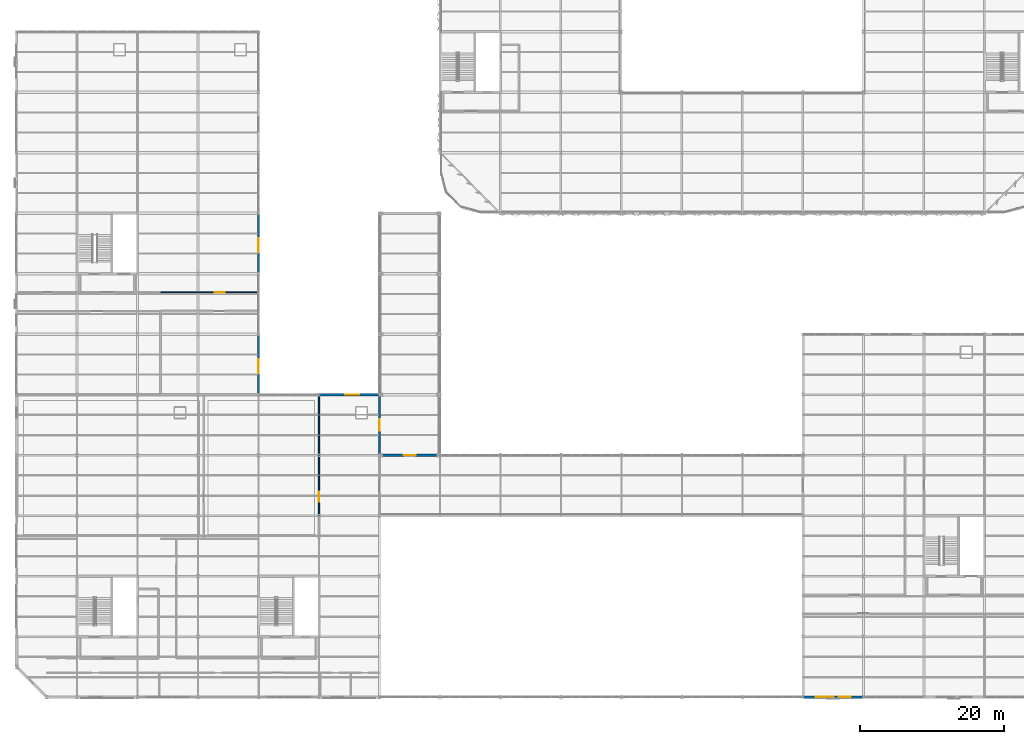
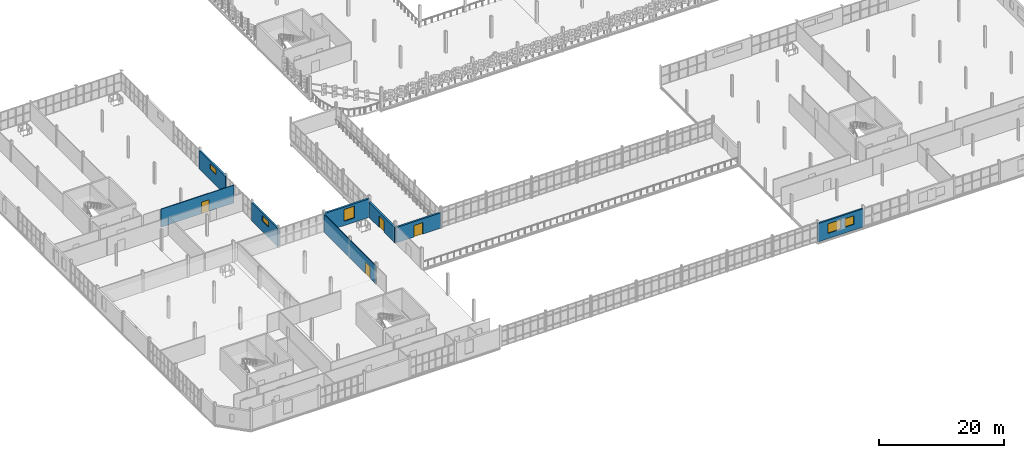
# One storey, part 133 of 163: 8 walls, 5 windows, 4 doors, 9 openings.
"""IFC4 building model written with IfcOpenShell, lengths in metres."""

from ifc_helpers import new_model, si_unit, direction, frame, frame_2d, origin, place, context, subcontext, project, spatial, rectangle, extrude, material, layer, layer_set, type_object, element, fill, save


model = new_model("IFC4")

# Units and contexts
model_context = context("Model", 3, precision=1e-05, world=origin(), true_north=direction((0.0, 1.0)))
body_context = subcontext(model_context, "Body", "Model", "MODEL_VIEW")
ifc_project = project(units=[si_unit("LENGTHUNIT", "METRE"), si_unit("AREAUNIT", "SQUARE_METRE"), si_unit("VOLUMEUNIT", "CUBIC_METRE"), si_unit("PLANEANGLEUNIT", "RADIAN"), si_unit("MASSUNIT", "GRAM", prefix="KILO")], contexts=[model_context])

# Site, building, storey
site_placement = place(None, origin())
site = spatial("IfcSite", under=ifc_project, at=site_placement, CompositionType="ELEMENT")
building_placement = place(site_placement, origin())
building = spatial("IfcBuilding", under=site, at=building_placement, Name="Qalvenar Corner Mobility Hub", CompositionType="ELEMENT")
storey_placement = place(building_placement, frame((0.0, 0.0, 4.800048828125)))
storey = spatial("IfcBuildingStorey", under=building, at=storey_placement, Name="L01", CompositionType="ELEMENT", Elevation=4.800048828125)

# Wall, opening, window
ifc_material_1 = material(Name="Lahori Fired Clay Brick Masonry", Category="masonry")
ifc_layer_1 = layer(ifc_material_1, 0.300048828125)
ifc_layer_set_1 = layer_set([ifc_layer_1], Name="Lahori Fired Clay Brick Masonry")
wall_type_1 = type_object("IfcWallType", Name="WL-EXT-BRK300", PredefinedType="STANDARD", material=ifc_layer_set_1)
wall_1_placement = place(storey_placement, frame((33.60009765625, 42.0, 0.0), z_axis=(0.0, 0.0, 1.0), x_axis=(0.0, 1.0, 0.0)))
wall_1 = element("IfcWall", 1, at=wall_1_placement, inside=storey, type_object=wall_type_1, Name="Exterior Facade Wall EW-V5-L01-E0", PredefinedType="STANDARD", context=body_context, shape_type="SweptSolid", body=[
    extrude(rectangle(XDim=8.39990234375, YDim=0.300048828125, at=frame_2d((4.199951171875, 0.0))), origin(), (0.0, 0.0, 1.0), 3.619873046875),
])
opening_1_placement = place(wall_1_placement, frame((3.0, 0.0, 2.10009765625)))
opening_1 = element("IfcOpeningElement", 2, at=opening_1_placement, cuts=wall_1, Name="Opening W-41", PredefinedType="OPENING", context=body_context, shape_type="SweptSolid", body=[
    extrude(rectangle(XDim=1.949951171875, YDim=1.050048828125, at=frame_2d((0.97509765625, 0.52490234375))), frame((0.0, 0.16015625, 0.0), z_axis=(0.0, -1.0, 0.0), x_axis=(1.0, 0.0, 0.0)), (0.0, 0.0, 1.0), 0.320068359375),
])
ifc_material_2 = material(Name="Solar-Control Double-Glazed Bronze Window", Category="glass")
window_type_1 = type_object("IfcWindowType", Name="WN-CLR-195X105", PartitioningType="DOUBLE_PANEL_HORIZONTAL", PredefinedType="WINDOW", material=ifc_material_2)
window_1_placement = place(opening_1_placement, origin())
window_1 = element("IfcWindow", 3, at=window_1_placement, inside=storey, type_object=window_type_1, Name="Facade Window EW-V5-L01-E0-W1", OverallHeight=1.050048828125, OverallWidth=1.949951171875, PartitioningType="SINGLE_PANEL", PredefinedType="WINDOW", context=body_context, shape_type="SweptSolid", body=[
    extrude(rectangle(XDim=1.949951171875, YDim=1.050048828125, at=frame_2d((0.97509765625, 0.52490234375))), frame((0.0, 0.030029296875, 0.0), z_axis=(0.0, -1.0, 0.0), x_axis=(1.0, 0.0, 0.0)), (0.0, 0.0, 1.0), 0.06005859375),
])
fill(opening_1, window_1)

wall_2_placement = place(storey_placement, frame((33.60009765625, 58.800048828125, 0.0), z_axis=(0.0, 0.0, 1.0), x_axis=(0.0, 1.0, 0.0)))
wall_2 = element("IfcWall", 4, at=wall_2_placement, inside=storey, type_object=wall_type_1, Name="Exterior Facade Wall EW-V5-L01-E2", PredefinedType="STANDARD", context=body_context, shape_type="SweptSolid", body=[
    extrude(rectangle(XDim=8.39990234375, YDim=0.300048828125, at=frame_2d((4.199951171875, 0.0))), origin(), (0.0, 0.0, 1.0), 3.619873046875),
])
opening_2_placement = place(wall_2_placement, frame((3.0, 0.0, 2.10009765625)))
opening_2 = element("IfcOpeningElement", 5, at=opening_2_placement, cuts=wall_2, Name="Opening W-41", PredefinedType="OPENING", context=body_context, shape_type="SweptSolid", body=[
    extrude(rectangle(XDim=1.949951171875, YDim=1.050048828125, at=frame_2d((0.97509765625, 0.52490234375))), frame((0.0, 0.16015625, 0.0), z_axis=(0.0, -1.0, 0.0), x_axis=(1.0, 0.0, 0.0)), (0.0, 0.0, 1.0), 0.320068359375),
])
window_2_placement = place(opening_2_placement, origin())
window_2 = element("IfcWindow", 6, at=window_2_placement, inside=storey, type_object=window_type_1, Name="Facade Window EW-V5-L01-E2-W1", OverallHeight=1.050048828125, OverallWidth=1.949951171875, PartitioningType="SINGLE_PANEL", PredefinedType="WINDOW", context=body_context, shape_type="SweptSolid", body=[
    extrude(rectangle(XDim=1.949951171875, YDim=1.050048828125, at=frame_2d((0.97509765625, 0.52490234375))), frame((0.0, 0.030029296875, 0.0), z_axis=(0.0, -1.0, 0.0), x_axis=(1.0, 0.0, 0.0)), (0.0, 0.0, 1.0), 0.06005859375),
])
fill(opening_2, window_2)

# Wall, openings, windows
wall_3_placement = place(storey_placement, frame((109.199951171875, 0.0, 0.0), z_axis=(0.0, 0.0, 1.0), x_axis=(1.0, 0.0, 0.0)))
wall_3 = element("IfcWall", 7, at=wall_3_placement, inside=storey, type_object=wall_type_1, Name="Exterior Facade Wall EW-V6-L01-S0", PredefinedType="STANDARD", context=body_context, shape_type="SweptSolid", body=[
    extrude(rectangle(XDim=8.400146484375, YDim=0.300048828125, at=frame_2d((4.2001953125, 0.0))), origin(), (0.0, 0.0, 1.0), 3.579833984375),
])
opening_3_placement = place(wall_3_placement, frame((1.800048828125, 0.0, 1.050048828125)))
opening_3 = element("IfcOpeningElement", 8, at=opening_3_placement, cuts=wall_3, Name="Opening W-36", PredefinedType="OPENING", context=body_context, shape_type="SweptSolid", body=[
    extrude(rectangle(XDim=2.449951171875, YDim=1.85009765625, at=frame_2d((1.22509765625, 0.925048828125))), frame((0.0, 0.16015625, 0.0), z_axis=(0.0, -1.0, 0.0), x_axis=(1.0, 0.0, 0.0)), (0.0, 0.0, 1.0), 0.320068359375),
])
opening_4_placement = place(wall_3_placement, frame((5.0, 0.0, 1.14990234375)))
opening_4 = element("IfcOpeningElement", 9, at=opening_4_placement, cuts=wall_3, Name="Opening W-38", PredefinedType="OPENING", context=body_context, shape_type="SweptSolid", body=[
    extrude(rectangle(XDim=1.64990234375, YDim=1.64990234375, at=frame_2d((0.824951171875, 0.824951171875))), frame((0.0, 0.16015625, 0.0), z_axis=(0.0, -1.0, 0.0), x_axis=(1.0, 0.0, 0.0)), (0.0, 0.0, 1.0), 0.320068359375),
])
window_type_2 = type_object("IfcWindowType", Name="WN-WKS-165X165", PartitioningType="DOUBLE_PANEL_VERTICAL", PredefinedType="WINDOW", material=ifc_material_2)
window_3_placement = place(opening_4_placement, origin())
window_3 = element("IfcWindow", 10, at=window_3_placement, inside=storey, type_object=window_type_2, Name="Facade Window EW-V6-L01-S0-W2", OverallHeight=1.64990234375, OverallWidth=1.64990234375, PartitioningType="SINGLE_PANEL", PredefinedType="WINDOW", context=body_context, shape_type="SweptSolid", body=[
    extrude(rectangle(XDim=1.64990234375, YDim=1.64990234375, at=frame_2d((0.824951171875, 0.824951171875))), frame((0.0, 0.030029296875, 0.0), z_axis=(0.0, -1.0, 0.0), x_axis=(1.0, 0.0, 0.0)), (0.0, 0.0, 1.0), 0.06005859375),
])
fill(opening_4, window_3)
window_type_3 = type_object("IfcWindowType", Name="WN-WKS-245X185", PartitioningType="DOUBLE_PANEL_HORIZONTAL", PredefinedType="WINDOW", material=ifc_material_2)
window_4_placement = place(opening_3_placement, origin())
window_4 = element("IfcWindow", 11, at=window_4_placement, inside=storey, type_object=window_type_3, Name="Facade Window EW-V6-L01-S0-W1", OverallHeight=1.85009765625, OverallWidth=2.449951171875, PartitioningType="SINGLE_PANEL", PredefinedType="WINDOW", context=body_context, shape_type="SweptSolid", body=[
    extrude(rectangle(XDim=2.449951171875, YDim=1.85009765625, at=frame_2d((1.22509765625, 0.925048828125))), frame((0.0, 0.030029296875, 0.0), z_axis=(0.0, -1.0, 0.0), x_axis=(1.0, 0.0, 0.0)), (0.0, 0.0, 1.0), 0.06005859375),
])
fill(opening_3, window_4)

# Wall, opening, door
ifc_material_3 = material(Name="Red Sandstone Ashlar Masonry", Category="masonry")
ifc_layer_2 = layer(ifc_material_3, 0.320068359375)
ifc_layer_set_2 = layer_set([ifc_layer_2], Name="Red Sandstone Ashlar Masonry")
wall_type_2 = type_object("IfcWallType", Name="WL-EXT-SAND320", PredefinedType="STANDARD", material=ifc_layer_set_2)
wall_4_placement = place(storey_placement, frame((50.39990234375, 42.0, 0.0), z_axis=(0.0, 0.0, 1.0), x_axis=(0.0, -1.0, 0.0)))
wall_4 = element("IfcWall", 12, at=wall_4_placement, inside=storey, type_object=wall_type_2, Name="Exterior Facade Wall EW-BRG-L01-W0", PredefinedType="STANDARD", context=body_context, shape_type="SweptSolid", body=[
    extrude(rectangle(XDim=8.39990234375, YDim=0.320068359375, at=frame_2d((4.199951171875, 0.0))), origin(), (0.0, 0.0, 1.0), 3.0),
])
opening_5_placement = place(wall_4_placement, frame((3.39990234375, 0.0, 0.0)))
opening_5 = element("IfcOpeningElement", 13, at=opening_5_placement, cuts=wall_4, Name="Opening DR-113", PredefinedType="OPENING", context=body_context, shape_type="SweptSolid", body=[
    extrude(rectangle(XDim=1.60009765625, YDim=2.25, at=frame_2d((0.800048828125, 1.125))), frame((0.0, 0.169921875, 0.0), z_axis=(0.0, -1.0, 0.0), x_axis=(1.0, 0.0, 0.0)), (0.0, 0.0, 1.0), 0.340087890625),
])
ifc_material_4 = material(Name="Compartment Fire Door FD90", Category="steel")
door_type_1 = type_object("IfcDoorType", Name="DR-COMP-160", OperationType="DOUBLE_DOOR_SINGLE_SWING", PredefinedType="DOOR", material=ifc_material_4)
door_1_placement = place(opening_5_placement, origin())
door_1 = element("IfcDoor", 14, at=door_1_placement, inside=storey, type_object=door_type_1, Name="DR-113 Courtyard Bridge West Portal Door L01", OperationType="DOUBLE_DOOR_SINGLE_SWING", OverallHeight=2.25, OverallWidth=1.60009765625, PredefinedType="DOOR", context=body_context, shape_type="SweptSolid", body=[
    extrude(rectangle(XDim=1.60009765625, YDim=2.25, at=frame_2d((0.800048828125, 1.125))), frame((0.0, 0.02490234375, 0.0), z_axis=(0.0, -1.0, 0.0), x_axis=(1.0, 0.0, 0.0)), (0.0, 0.0, 1.0), 0.050048828125),
])
fill(opening_5, door_1)

wall_5_placement = place(storey_placement, frame((50.39990234375, 33.60009765625, 0.0), z_axis=(0.0, 0.0, 1.0), x_axis=(1.0, 0.0, 0.0)))
wall_5 = element("IfcWall", 15, at=wall_5_placement, inside=storey, type_object=wall_type_2, Name="Exterior Facade Wall EW-BRG-L01-S", PredefinedType="STANDARD", context=body_context, shape_type="SweptSolid", body=[
    extrude(rectangle(XDim=8.400146484375, YDim=0.320068359375, at=frame_2d((4.2001953125, 0.0))), origin(), (0.0, 0.0, 1.0), 3.0),
])
opening_6_placement = place(wall_5_placement, frame((3.39990234375, 0.0, 0.0)))
opening_6 = element("IfcOpeningElement", 16, at=opening_6_placement, cuts=wall_5, Name="Opening DR-114", PredefinedType="OPENING", context=body_context, shape_type="SweptSolid", body=[
    extrude(rectangle(XDim=1.60009765625, YDim=2.25, at=frame_2d((0.800048828125, 1.125))), frame((0.0, 0.169921875, 0.0), z_axis=(0.0, -1.0, 0.0), x_axis=(1.0, 0.0, 0.0)), (0.0, 0.0, 1.0), 0.340087890625),
])
door_2_placement = place(opening_6_placement, origin())
door_2 = element("IfcDoor", 17, at=door_2_placement, inside=storey, type_object=door_type_1, Name="DR-114 Bridge to Boarding Gallery Door L01", OperationType="DOUBLE_DOOR_SINGLE_SWING", OverallHeight=2.25, OverallWidth=1.60009765625, PredefinedType="DOOR", context=body_context, shape_type="SweptSolid", body=[
    extrude(rectangle(XDim=1.60009765625, YDim=2.25, at=frame_2d((0.800048828125, 1.125))), frame((0.0, 0.02490234375, 0.0), z_axis=(0.0, -1.0, 0.0), x_axis=(1.0, 0.0, 0.0)), (0.0, 0.0, 1.0), 0.050048828125),
])
fill(opening_6, door_2)

# Wall, opening, window
ifc_material_5 = material(Name="Red Sandstone Ashlar Masonry", Category="masonry")
ifc_layer_3 = layer(ifc_material_5, 0.360107421875)
ifc_layer_set_3 = layer_set([ifc_layer_3], Name="Red Sandstone Ashlar Masonry")
wall_type_3 = type_object("IfcWallType", Name="WL-EXT-SAND360", PredefinedType="STANDARD", material=ifc_layer_set_3)
wall_6_placement = place(storey_placement, frame((50.39990234375, 42.0, 0.0), z_axis=(0.0, 0.0, 1.0), x_axis=(-1.0, 0.0, 0.0)))
wall_6 = element("IfcWall", 18, at=wall_6_placement, inside=storey, type_object=wall_type_3, Name="Exterior Facade Wall EW-V3-L01-015", PredefinedType="STANDARD", context=body_context, shape_type="SweptSolid", body=[
    extrude(rectangle(XDim=8.39990234375, YDim=0.360107421875, at=frame_2d((4.199951171875, 0.0))), origin(), (0.0, 0.0, 1.0), 3.619873046875),
])
opening_7_placement = place(wall_6_placement, frame((2.800048828125, 0.0, 0.85009765625)))
opening_7 = element("IfcOpeningElement", 19, at=opening_7_placement, cuts=wall_6, Name="Opening W-29", PredefinedType="OPENING", context=body_context, shape_type="SweptSolid", body=[
    extrude(rectangle(XDim=1.949951171875, YDim=2.300048828125, at=frame_2d((0.97509765625, 1.14990234375))), frame((0.0, 0.18994140625, 0.0), z_axis=(0.0, -1.0, 0.0), x_axis=(1.0, 0.0, 0.0)), (0.0, 0.0, 1.0), 0.380126953125),
])
window_type_4 = type_object("IfcWindowType", Name="WN-CIV-195X230", PartitioningType="DOUBLE_PANEL_VERTICAL", PredefinedType="WINDOW", material=ifc_material_2)
window_5_placement = place(opening_7_placement, origin())
window_5 = element("IfcWindow", 20, at=window_5_placement, inside=storey, type_object=window_type_4, Name="Facade Window EW-V3-L01-015-W1", OverallHeight=2.300048828125, OverallWidth=1.949951171875, PartitioningType="SINGLE_PANEL", PredefinedType="WINDOW", context=body_context, shape_type="SweptSolid", body=[
    extrude(rectangle(XDim=1.949951171875, YDim=2.300048828125, at=frame_2d((0.97509765625, 1.14990234375))), frame((0.0, 0.030029296875, 0.0), z_axis=(0.0, -1.0, 0.0), x_axis=(1.0, 0.0, 0.0)), (0.0, 0.0, 1.0), 0.06005859375),
])
fill(opening_7, window_5)

# Wall, opening, door
ifc_material_6 = material(Name="Acoustic Gypsum Stud Partition", Category="masonry")
ifc_layer_4 = layer(ifc_material_6, 0.139892578125)
ifc_layer_set_4 = layer_set([ifc_layer_4], Name="Acoustic Gypsum Stud Partition")
wall_type_4 = type_object("IfcWallType", Name="WL-INT140", PredefinedType="PARTITIONING", material=ifc_layer_set_4)
wall_7_placement = place(storey_placement, frame((20.0, 56.199951171875, 0.0), z_axis=(0.0, 0.0, 1.0), x_axis=(1.0, 0.0, 0.0)))
wall_7 = element("IfcWall", 21, at=wall_7_placement, inside=storey, type_object=wall_type_4, Name="Interior Partition PRT-L01-029", PredefinedType="PARTITIONING", context=body_context, shape_type="SweptSolid", body=[
    extrude(rectangle(XDim=13.554931640625, YDim=0.139892578125, at=frame_2d((6.77734375, 0.0))), origin(), (0.0, 0.0, 1.0), 3.5),
])
opening_8_placement = place(wall_7_placement, frame((7.52001953125, 0.0, 0.0)))
opening_8 = element("IfcOpeningElement", 22, at=opening_8_placement, cuts=wall_7, Name="Opening DR-149", PredefinedType="OPENING", context=body_context, shape_type="SweptSolid", body=[
    extrude(rectangle(XDim=1.39990234375, YDim=2.25, at=frame_2d((0.699951171875, 1.125))), frame((0.0, 0.080078125, 0.0), z_axis=(0.0, -1.0, 0.0), x_axis=(1.0, 0.0, 0.0)), (0.0, 0.0, 1.0), 0.159912109375),
])
ifc_material_7 = material(Name="Hardwood Teak Acoustic Double Door", Category="wood")
door_type_2 = type_object("IfcDoorType", Name="DR-INT-PUB140", OperationType="DOUBLE_DOOR_SINGLE_SWING", PredefinedType="DOOR", material=ifc_material_7)
door_3_placement = place(opening_8_placement, origin())
door_3 = element("IfcDoor", 23, at=door_3_placement, inside=storey, type_object=door_type_2, Name="DR-149 Lahore Cycling Commuter Hub Lounge Door", OperationType="DOUBLE_DOOR_SINGLE_SWING", OverallHeight=2.25, OverallWidth=1.39990234375, PredefinedType="DOOR", context=body_context, shape_type="SweptSolid", body=[
    extrude(rectangle(XDim=1.39990234375, YDim=2.25, at=frame_2d((0.699951171875, 1.125))), frame((0.0, 0.02490234375, 0.0), z_axis=(0.0, -1.0, 0.0), x_axis=(1.0, 0.0, 0.0)), (0.0, 0.0, 1.0), 0.050048828125),
])
fill(opening_8, door_3)

ifc_material_8 = material(Name="Plastered Clay Brick Partition", Category="masonry")
ifc_layer_5 = layer(ifc_material_8, 0.159912109375)
ifc_layer_set_5 = layer_set([ifc_layer_5], Name="Plastered Clay Brick Partition")
wall_type_5 = type_object("IfcWallType", Name="WL-INT160", PredefinedType="PARTITIONING", material=ifc_layer_set_5)
wall_8_placement = place(storey_placement, frame((42.0, 25.199951171875, 0.0), z_axis=(0.0, 0.0, 1.0), x_axis=(0.0, 1.0, 0.0)))
wall_8 = element("IfcWall", 24, at=wall_8_placement, inside=storey, type_object=wall_type_5, Name="Interior Partition PRT-L01-039", PredefinedType="PARTITIONING", context=body_context, shape_type="SweptSolid", body=[
    extrude(rectangle(XDim=16.614990234375, YDim=0.159912109375, at=frame_2d((8.3076171875, 0.0))), origin(), (0.0, 0.0, 1.0), 3.489990234375),
])
opening_9_placement = place(wall_8_placement, frame((1.919921875, 0.0, 0.0)))
opening_9 = element("IfcOpeningElement", 25, at=opening_9_placement, cuts=wall_8, Name="Opening DR-153", PredefinedType="OPENING", context=body_context, shape_type="SweptSolid", body=[
    extrude(rectangle(XDim=1.39990234375, YDim=2.25, at=frame_2d((0.699951171875, 1.125))), frame((0.0, 0.08984375, 0.0), z_axis=(0.0, -1.0, 0.0), x_axis=(1.0, 0.0, 0.0)), (0.0, 0.0, 1.0), 0.179931640625),
])
door_4_placement = place(opening_9_placement, origin())
door_4 = element("IfcDoor", 26, at=door_4_placement, inside=storey, type_object=door_type_2, Name="DR-153 Community Mobility Exhibition Room Door", OperationType="DOUBLE_DOOR_SINGLE_SWING", OverallHeight=2.25, OverallWidth=1.39990234375, PredefinedType="DOOR", context=body_context, shape_type="SweptSolid", body=[
    extrude(rectangle(XDim=1.39990234375, YDim=2.25, at=frame_2d((0.699951171875, 1.125))), frame((0.0, 0.02490234375, 0.0), z_axis=(0.0, -1.0, 0.0), x_axis=(1.0, 0.0, 0.0)), (0.0, 0.0, 1.0), 0.050048828125),
])
fill(opening_9, door_4)

save(model, "model.ifc")
